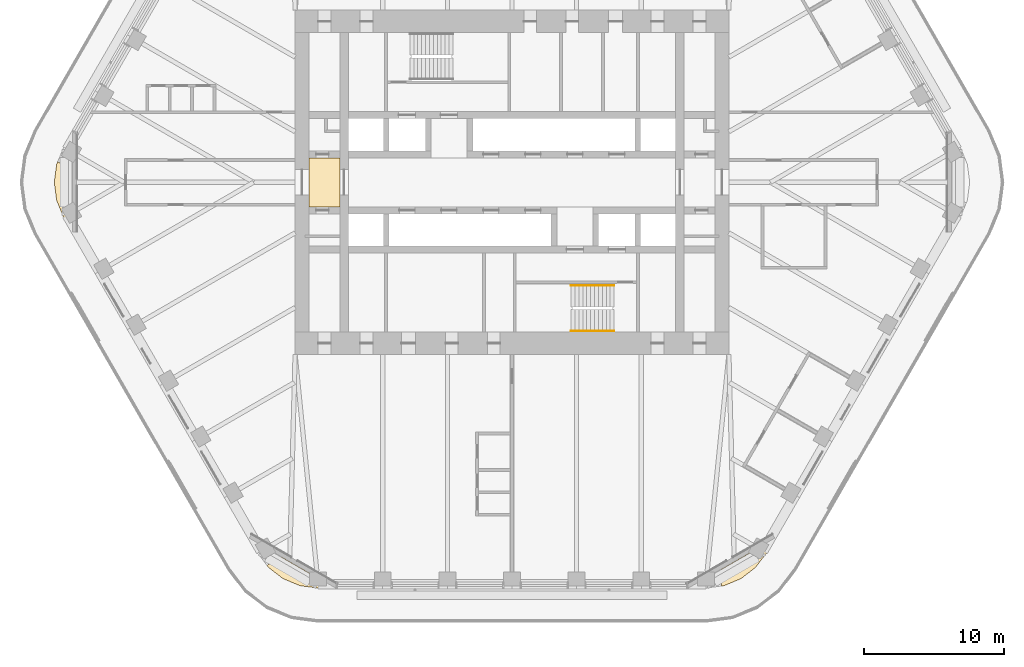
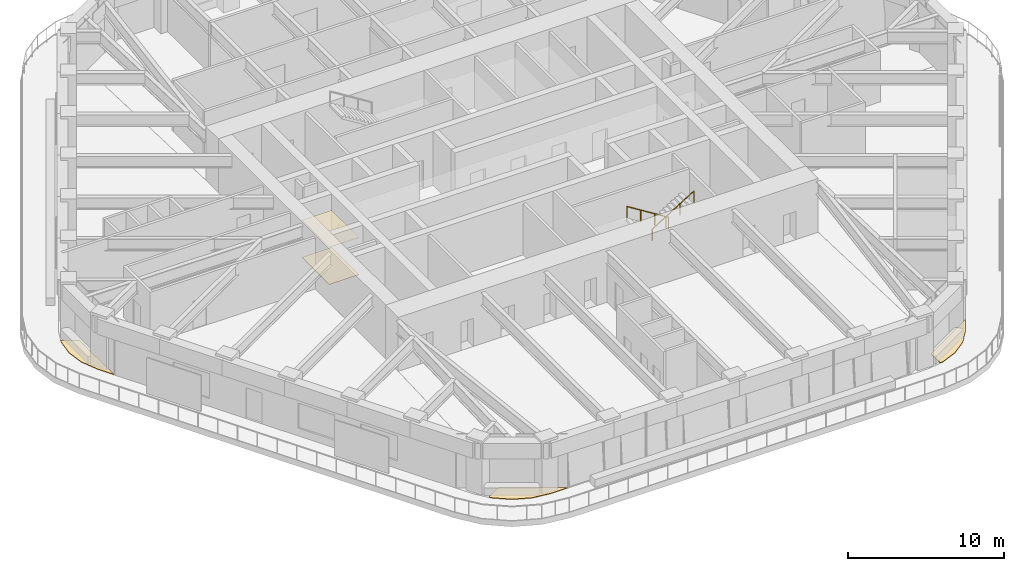
# One storey, part 18 of 20: 5 coverings, 2 railings.
"""IFC4 building model written with IfcOpenShell, lengths in metres."""

from ifc_helpers import new_model, si_unit, direction, frame, origin, origin_2d, place, context, subcontext, project, spatial, polyline, circle, outline, extrude, material, layer, layer_set, type_object, element, save


model = new_model("IFC4")

# Units and contexts
model_context = context("Model", 3, precision=1e-05, world=origin(), true_north=direction((0.0, 1.0)))
body_context = subcontext(model_context, "Body", "Model", "MODEL_VIEW")
ifc_project = project(units=[si_unit("LENGTHUNIT", "METRE"), si_unit("AREAUNIT", "SQUARE_METRE"), si_unit("VOLUMEUNIT", "CUBIC_METRE"), si_unit("PLANEANGLEUNIT", "RADIAN"), si_unit("MASSUNIT", "GRAM", prefix="KILO")], contexts=[model_context])

# Site, building, storey
site_placement = place(None, origin())
site = spatial("IfcSite", under=ifc_project, at=site_placement, CompositionType="ELEMENT")
building_placement = place(site_placement, origin())
building = spatial("IfcBuilding", under=site, at=building_placement, Name="Tarfa Lantern Tower", CompositionType="ELEMENT")
storey_placement = place(building_placement, frame((0.0, 0.0, 274.300048828125)))
storey = spatial("IfcBuildingStorey", under=building, at=storey_placement, Name="L62", CompositionType="ELEMENT", Elevation=274.300048828125)

# Coverings
ifc_material_1 = material(Name="Powder-coated aluminium panel", Category="aluminium")
ifc_layer_1 = layer(ifc_material_1, 0.030029296875)
ifc_layer_set_1 = layer_set([ifc_layer_1], Name="CL3 METAL PANEL CEILING 30")
covering_type_1 = type_object("IfcCoveringType", Name="CL3 METAL PANEL CEILING 30", PredefinedType="CEILING", material=ifc_layer_set_1)
covering_1_placement = place(storey_placement, frame((0.0, 0.0, 2.89990234375)))
element("IfcCovering", 1, at=covering_1_placement, inside=storey, type_object=covering_type_1, Name="Ceiling L62-01", PredefinedType="CEILING", context=body_context, shape_type="SweptSolid", body=[
    extrude(outline(polyline([(-14.5, -1.75), (-12.300048828125, -1.75), (-12.300048828125, 1.75), (-14.5, 1.75), (-14.5, -1.75)])), origin(), (0.0, 0.0, 1.0), 0.030029296875),
])
ifc_material_2 = material(Name="Honed limestone flooring", Category="masonry")
ifc_layer_2 = layer(ifc_material_2, 0.030029296875)
ifc_layer_set_2 = layer_set([ifc_layer_2], Name="FL2 STONE FLOORING 30")
covering_type_2 = type_object("IfcCoveringType", Name="FL2 STONE FLOORING 30", PredefinedType="FLOORING", material=ifc_layer_set_2)
covering_2_placement = place(storey_placement, origin())
element("IfcCovering", 2, at=covering_2_placement, inside=storey, type_object=covering_type_2, Name="Floor finish L62-01", PredefinedType="FLOORING", context=body_context, shape_type="SweptSolid", body=[
    extrude(outline(polyline([(-14.5, -1.75), (-12.300048828125, -1.75), (-12.300048828125, 1.75), (-14.5, 1.75), (-14.5, -1.75)])), origin(), (0.0, 0.0, 1.0), 0.030029296875),
])

# Railings
ifc_material_3 = material(Name="Stainless steel", Category="steel")
railing_type = type_object("IfcRailingType", Name="HR1 HANDRAIL 900", PredefinedType="HANDRAIL", material=ifc_material_3)
railing_1_placement = place(storey_placement, frame((7.300048828125, -7.3798828125, 0.175048828125)))
element("IfcRailing", 3, at=railing_1_placement, inside=storey, type_object=railing_type, Name="Handrail 1", PredefinedType="HANDRAIL", context=body_context, shape_type="SweptSolid", body=[
    extrude(circle(Radius=0.02392578125, at=origin_2d()), frame((0.0, 0.0, 0.8759765625), z_axis=(-0.848028513186, 0.0, 0.529950602248), x_axis=(0.0, -1.0, 0.0)), (0.0, 0.0, 1.0), 3.632080078125),
    extrude(circle(Radius=0.02099609375, at=origin_2d()), frame((0.0, 0.0, 0.0), z_axis=(0.0, 0.0, 1.0), x_axis=(0.0, -1.0, 0.0)), (0.0, 0.0, 1.0), 0.851806640625),
    extrude(circle(Radius=0.02099609375, at=origin_2d()), frame((-1.026611328125, 0.0, 0.6416015625), z_axis=(0.0, 0.0, 1.0), x_axis=(0.0, -1.0, 0.0)), (0.0, 0.0, 1.0), 0.851806640625),
    extrude(circle(Radius=0.02099609375, at=origin_2d()), frame((-2.053466796875, 0.0, 1.283203125), z_axis=(0.0, 0.0, 1.0), x_axis=(0.0, -1.0, 0.0)), (0.0, 0.0, 1.0), 0.851806640625),
    extrude(circle(Radius=0.02099609375, at=origin_2d()), frame((-3.080078125, 0.0, 1.9248046875), z_axis=(0.0, 0.0, 1.0), x_axis=(0.0, -1.0, 0.0)), (0.0, 0.0, 1.0), 0.851806640625),
])
railing_2_placement = place(storey_placement, frame((4.219970703125, -10.6201171875, 2.27490234375)))
element("IfcRailing", 4, at=railing_2_placement, inside=storey, type_object=railing_type, Name="Handrail 2", PredefinedType="HANDRAIL", context=body_context, shape_type="SweptSolid", body=[
    extrude(circle(Radius=0.02392578125, at=origin_2d()), frame((0.0, 0.0, 0.8759765625), z_axis=(0.847998304005, 0.0, 0.529998940003), x_axis=(0.0, 1.0, 0.0)), (0.0, 0.0, 1.0), 3.632080078125),
    extrude(circle(Radius=0.02099609375, at=origin_2d()), frame((0.0, 0.0, 0.0), z_axis=(0.0, 0.0, 1.0), x_axis=(0.0, 1.0, 0.0)), (0.0, 0.0, 1.0), 0.851806640625),
    extrude(circle(Radius=0.02099609375, at=origin_2d()), frame((1.026611328125, 0.0, 0.6416015625), z_axis=(0.0, 0.0, 1.0), x_axis=(0.0, 1.0, 0.0)), (0.0, 0.0, 1.0), 0.851806640625),
    extrude(circle(Radius=0.02099609375, at=origin_2d()), frame((2.053466796875, 0.0, 1.283447265625), z_axis=(0.0, 0.0, 1.0), x_axis=(0.0, 1.0, 0.0)), (0.0, 0.0, 1.0), 0.851806640625),
    extrude(circle(Radius=0.02099609375, at=origin_2d()), frame((3.080078125, 0.0, 1.925048828125), z_axis=(0.0, 0.0, 1.0), x_axis=(0.0, 1.0, 0.0)), (0.0, 0.0, 1.0), 0.851806640625),
])

# Coverings
ifc_material_4 = material(Name="Porcelain pavers on pedestals", Category="ceramic")
ifc_layer_3 = layer(ifc_material_4, 0.0400390625)
ifc_layer_set_3 = layer_set([ifc_layer_3], Name="LP1 LOGGIA PAVING 40")
covering_type_3 = type_object("IfcCoveringType", Name="LP1 LOGGIA PAVING 40", PredefinedType="FLOORING", material=ifc_layer_set_3)
covering_3_placement = place(storey_placement, origin())
element("IfcCovering", 5, at=covering_3_placement, inside=storey, type_object=covering_type_3, Name="Sky garden paving NW-SW", PredefinedType="FLOORING", context=body_context, shape_type="SweptSolid", body=[
    extrude(outline(polyline([(-32.54248046875, -1.294189453125), (-32.712890625, 0.0), (-32.54248046875, 1.294189453125), (-32.467529296875, 1.474853515625), (-31.43310546875, 0.877685546875), (-31.43310546875, -3.55078125), (-31.436279296875, -3.55078125), (-32.04296875, -2.5), (-32.54248046875, -1.294189453125)])), origin(), (0.0, 0.0, 1.0), 0.0400390625),
])
covering_4_placement = place(storey_placement, origin())
element("IfcCovering", 6, at=covering_4_placement, inside=storey, type_object=covering_type_3, Name="Sky garden paving SW-S", PredefinedType="FLOORING", context=body_context, shape_type="SweptSolid", body=[
    extrude(outline(polyline([(-15.150390625, -28.82958984375), (-16.3564453125, -28.330078125), (-17.391845703125, -27.53564453125), (-17.51123046875, -27.380126953125), (-16.4765625, -26.782958984375), (-12.641357421875, -28.997314453125), (-12.64306640625, -29.0), (-13.8564453125, -29.0), (-15.150390625, -28.82958984375)])), origin(), (0.0, 0.0, 1.0), 0.0400390625),
])
covering_5_placement = place(storey_placement, origin())
element("IfcCovering", 7, at=covering_5_placement, inside=storey, type_object=covering_type_3, Name="Sky garden paving S-SE", PredefinedType="FLOORING", context=body_context, shape_type="SweptSolid", body=[
    extrude(outline(polyline([(17.391845703125, -27.53564453125), (16.3564453125, -28.330078125), (15.150390625, -28.82958984375), (14.956298828125, -28.855224609375), (14.956298828125, -27.66064453125), (18.791748046875, -25.4462890625), (18.793212890625, -25.44921875), (18.1865234375, -26.5), (17.391845703125, -27.53564453125)])), origin(), (0.0, 0.0, 1.0), 0.0400390625),
])

save(model, "model.ifc")
